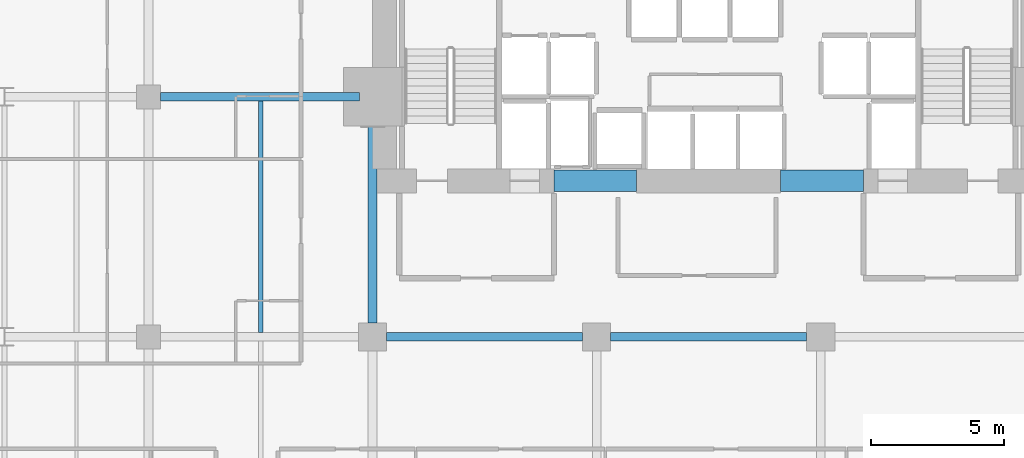
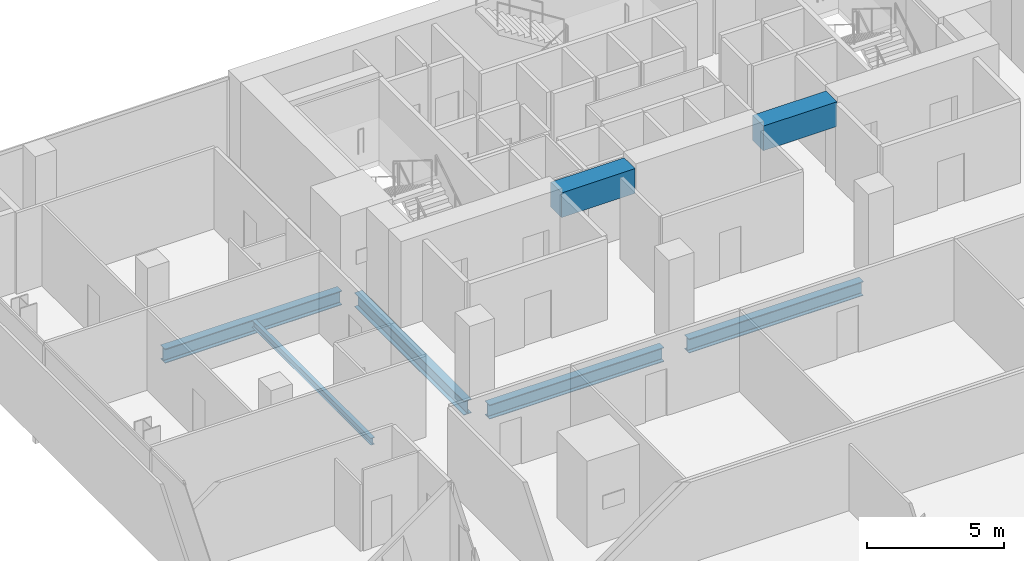
# One storey, part 24 of 40: 7 beams.
"""IFC4 building model written with IfcOpenShell, lengths in metres."""

from ifc_helpers import new_model, si_unit, direction, frame, origin, origin_2d, place, context, subcontext, project, spatial, rectangle, i_section, extrude, material, material_profile, profile_set, type_object, element, save


model = new_model("IFC4")

# Units and contexts
model_context = context("Model", 3, precision=1e-05, world=origin(), true_north=direction((0.0, 1.0)))
body_context = subcontext(model_context, "Body", "Model", "MODEL_VIEW")
ifc_project = project(units=[si_unit("LENGTHUNIT", "METRE"), si_unit("AREAUNIT", "SQUARE_METRE"), si_unit("VOLUMEUNIT", "CUBIC_METRE"), si_unit("PLANEANGLEUNIT", "RADIAN"), si_unit("MASSUNIT", "GRAM", prefix="KILO")], contexts=[model_context])

# Site, building, storey
site_placement = place(None, origin())
site = spatial("IfcSite", under=ifc_project, at=site_placement, CompositionType="ELEMENT")
building_placement = place(site_placement, origin())
building = spatial("IfcBuilding", under=site, at=building_placement, Name="Maruvema Waterfront Hotel and Observation Tower", CompositionType="ELEMENT")
storey_placement = place(building_placement, frame((0.0, 0.0, 30.800048828125)))
storey = spatial("IfcBuildingStorey", under=building, at=storey_placement, Name="L06", CompositionType="ELEMENT", Elevation=30.800048828125)

# Beams
ifc_material_1 = material(Name="Concrete C60/75", Category="concrete")
ifc_material_profile_1 = material_profile(ifc_material_1, rectangle(XDim=0.800048828125, YDim=1.10009765625, at=origin_2d()), Name="CB800x1100")
ifc_profile_set_1 = profile_set([ifc_material_profile_1], Name="Concrete C60/75")
beam_type_1 = type_object("IfcBeamType", Name="Core Coupling Lintel Beam CB800x1100", PredefinedType="LINTEL", material=ifc_profile_set_1)
for number, where, z_axis, x_axis, name in (
    (1, (32.0, 41.85009765625, 3.06005859375), (1.0, 0.0, 0.0), (0.0, 1.0, 0.0), "L06 Core Coupling Lintel Beam West"),
    (2, (40.5, 41.85009765625, 3.06005859375), (1.0, 0.0, 0.0), (0.0, 1.0, 0.0), "L06 Core Coupling Lintel Beam East"),
):
    element("IfcBeam", number, at=place(storey_placement, frame(where, z_axis=z_axis, x_axis=x_axis)), inside=storey, type_object=beam_type_1, Name=name, PredefinedType="LINTEL", context=body_context, shape_type="SweptSolid", body=[
        extrude(rectangle(XDim=0.800048828125, YDim=1.10009765625, at=origin_2d()), origin(), (0.0, 0.0, 1.0), 3.10009765625),
    ])
ifc_material_2 = material(Name="Steel ASTM A572 Grade 50", Category="steel")
ifc_material_profile_2 = material_profile(ifc_material_2, i_section(OverallWidth=0.3291015625, OverallDepth=0.635009765625, WebThickness=0.017822265625, FlangeThickness=0.031005859375, FilletRadius=0.01806640625, at=origin_2d()), Name="W610x241.0")
ifc_profile_set_2 = profile_set([ifc_material_profile_2], Name="Steel ASTM A572 Grade 50")
beam_type_2 = type_object("IfcBeamType", Name="Primary Floor Girder W610x241.0", PredefinedType="BEAM", material=ifc_profile_set_2)
beam_1_placement = place(storey_placement, frame((25.72509765625, 36.0, -0.5576171875), z_axis=(1.0, 0.0, 0.0), x_axis=(0.0, 1.0, 0.0)))
element("IfcBeam", 3, at=beam_1_placement, inside=storey, type_object=beam_type_2, Name="L06 Floor Girder EW-27", PredefinedType="BEAM", context=body_context, shape_type="SweptSolid", body=[
    extrude(i_section(OverallWidth=0.3291015625, OverallDepth=0.635009765625, WebThickness=0.017822265625, FlangeThickness=0.031005859375, FilletRadius=0.01806640625, at=origin_2d()), origin(), (0.0, 0.0, 1.0), 7.349853515625),
])
beam_2_placement = place(storey_placement, frame((34.125, 36.0, -0.5576171875), z_axis=(1.0, 0.0, 0.0), x_axis=(0.0, 1.0, 0.0)))
element("IfcBeam", 4, at=beam_2_placement, inside=storey, type_object=beam_type_2, Name="L06 Floor Girder EW-28", PredefinedType="BEAM", context=body_context, shape_type="SweptSolid", body=[
    extrude(i_section(OverallWidth=0.3291015625, OverallDepth=0.635009765625, WebThickness=0.017822265625, FlangeThickness=0.031005859375, FilletRadius=0.01806640625, at=origin_2d()), origin(), (0.0, 0.0, 1.0), 7.35009765625),
])
beam_3_placement = place(storey_placement, frame((17.25, 45.0, -0.5576171875), z_axis=(1.0, 0.0, 0.0), x_axis=(0.0, 1.0, 0.0)))
element("IfcBeam", 5, at=beam_3_placement, inside=storey, type_object=beam_type_2, Name="L06 Floor Girder EW-33", PredefinedType="BEAM", context=body_context, shape_type="SweptSolid", body=[
    extrude(i_section(OverallWidth=0.3291015625, OverallDepth=0.635009765625, WebThickness=0.017822265625, FlangeThickness=0.031005859375, FilletRadius=0.01806640625, at=origin_2d()), origin(), (0.0, 0.0, 1.0), 7.449951171875),
])
beam_4_placement = place(storey_placement, frame((25.199951171875, 36.52490234375, -0.5576171875), z_axis=(0.0, 1.0, 0.0), x_axis=(-1.0, 0.0, 0.0)))
element("IfcBeam", 6, at=beam_4_placement, inside=storey, type_object=beam_type_2, Name="L06 Floor Girder NS-15", PredefinedType="BEAM", context=body_context, shape_type="SweptSolid", body=[
    extrude(i_section(OverallWidth=0.3291015625, OverallDepth=0.635009765625, WebThickness=0.017822265625, FlangeThickness=0.031005859375, FilletRadius=0.01806640625, at=origin_2d()), origin(), (0.0, 0.0, 1.0), 7.97509765625),
])
ifc_material_3 = material(Name="Steel ASTM A572 Grade 50", Category="steel")
ifc_material_profile_3 = material_profile(ifc_material_3, i_section(OverallWidth=0.1650390625, OverallDepth=0.31005859375, WebThickness=0.005859375, FlangeThickness=0.009765625, FilletRadius=0.012939453125, at=origin_2d()), Name="W310x38.7")
ifc_profile_set_3 = profile_set([ifc_material_profile_3], Name="Steel ASTM A572 Grade 50")
beam_type_3 = type_object("IfcBeamType", Name="Secondary Floor Joist W310x38.7", PredefinedType="JOIST", material=ifc_profile_set_3)
beam_5_placement = place(storey_placement, frame((21.0, 36.16455078125, -0.39501953125), z_axis=(0.0, 1.0, 0.0), x_axis=(-1.0, 0.0, 0.0)))
element("IfcBeam", 7, at=beam_5_placement, inside=storey, type_object=beam_type_3, Name="L06 Secondary Floor Joist JS-09", PredefinedType="JOIST", context=body_context, shape_type="SweptSolid", body=[
    extrude(i_section(OverallWidth=0.1650390625, OverallDepth=0.31005859375, WebThickness=0.005859375, FlangeThickness=0.009765625, FilletRadius=0.012939453125, at=origin_2d()), origin(), (0.0, 0.0, 1.0), 8.6708984375),
])

save(model, "model.ifc")
